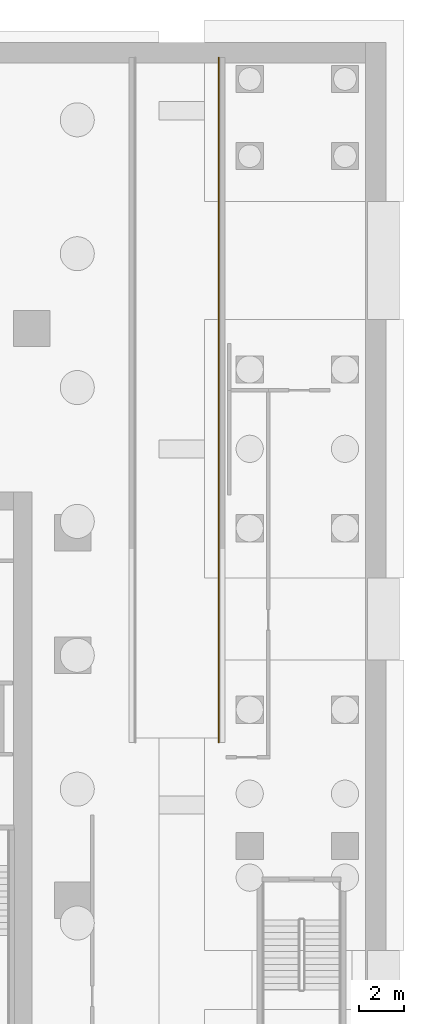
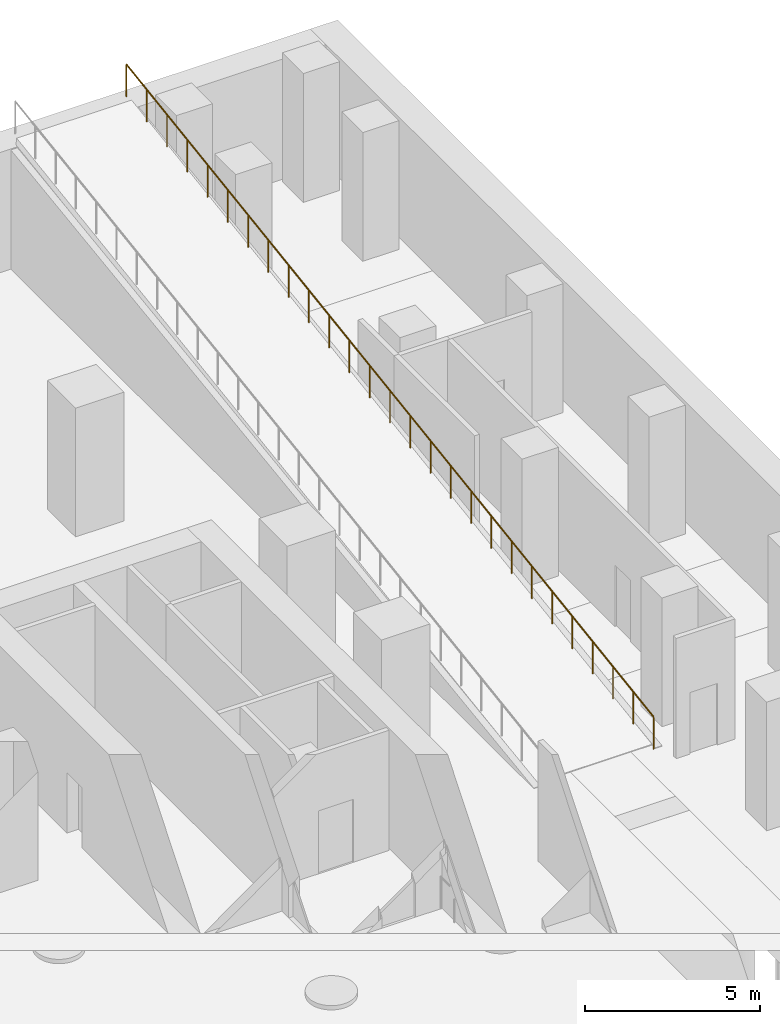
# One storey, part 14 of 15: 1 railing.
"""IFC4 building model written with IfcOpenShell, lengths in metres."""

from ifc_helpers import new_model, si_unit, direction, frame, origin, origin_2d, place, context, subcontext, project, spatial, circle, extrude, material, type_object, element, save


model = new_model("IFC4")

# Units and contexts
model_context = context("Model", 3, precision=1e-05, world=origin(), true_north=direction((0.0, 1.0)))
body_context = subcontext(model_context, "Body", "Model", "MODEL_VIEW")
ifc_project = project(units=[si_unit("LENGTHUNIT", "METRE"), si_unit("AREAUNIT", "SQUARE_METRE"), si_unit("VOLUMEUNIT", "CUBIC_METRE"), si_unit("PLANEANGLEUNIT", "RADIAN"), si_unit("MASSUNIT", "GRAM", prefix="KILO")], contexts=[model_context])

# Site, building, storey
site_placement = place(None, origin())
site = spatial("IfcSite", under=ifc_project, at=site_placement, CompositionType="ELEMENT")
building_placement = place(site_placement, origin())
building = spatial("IfcBuilding", under=site, at=building_placement, Name="Khairoan Windgate Tower", CompositionType="ELEMENT")
storey_placement = place(building_placement, frame((0.0, 0.0, -9.0)))
storey = spatial("IfcBuildingStorey", under=building, at=storey_placement, Name="B2", CompositionType="ELEMENT", Elevation=-9.0)

# Railing
ifc_material = material(Name="Steel S355", Category="steel")
railing_type = type_object("IfcRailingType", Name="Ramp Safety Guardrail RG-1150", PredefinedType="GUARDRAIL", material=ifc_material)
railing_placement = place(storey_placement, frame((28.639892578125, -3.840087890625, 0.0)))
element("IfcRailing", 1, at=railing_placement, inside=storey, type_object=railing_type, Name="Car Park Vehicular Ramp R2 (B1 to B2) E Edge Guardrail", PredefinedType="GUARDRAIL", context=body_context, shape_type="SweptSolid", body=[
    extrude(circle(Radius=0.02392578125, at=origin_2d()), frame((0.0, 0.0, 1.1259765625), z_axis=(0.0, 0.989065906388, 0.147474176791), x_axis=(-1.0, 0.0, 0.0)), (0.0, 0.0, 1.0), 30.513916015625),
    extrude(circle(Radius=0.02099609375, at=origin_2d()), origin(), (0.0, 0.0, 1.0), 1.101806640625),
    extrude(circle(Radius=0.02099609375, at=origin_2d()), frame((0.0, 1.160888671875, 0.173095703125)), (0.0, 0.0, 1.0), 1.101806640625),
    extrude(circle(Radius=0.02099609375, at=origin_2d()), frame((0.0, 2.321533203125, 0.34619140625)), (0.0, 0.0, 1.0), 1.101806640625),
    extrude(circle(Radius=0.02099609375, at=origin_2d()), frame((0.0, 3.482421875, 0.519287109375)), (0.0, 0.0, 1.0), 1.101806640625),
    extrude(circle(Radius=0.02099609375, at=origin_2d()), frame((0.0, 4.64306640625, 0.6923828125)), (0.0, 0.0, 1.0), 1.101806640625),
    extrude(circle(Radius=0.02099609375, at=origin_2d()), frame((0.0, 5.803955078125, 0.865478515625)), (0.0, 0.0, 1.0), 1.101806640625),
    extrude(circle(Radius=0.02099609375, at=origin_2d()), frame((0.0, 6.964599609375, 1.03857421875)), (0.0, 0.0, 1.0), 1.101806640625),
    extrude(circle(Radius=0.02099609375, at=origin_2d()), frame((0.0, 8.12548828125, 1.21142578125)), (0.0, 0.0, 1.0), 1.101806640625),
    extrude(circle(Radius=0.02099609375, at=origin_2d()), frame((0.0, 9.2861328125, 1.384521484375)), (0.0, 0.0, 1.0), 1.101806640625),
    extrude(circle(Radius=0.02099609375, at=origin_2d()), frame((0.0, 10.447021484375, 1.5576171875)), (0.0, 0.0, 1.0), 1.101806640625),
    extrude(circle(Radius=0.02099609375, at=origin_2d()), frame((0.0, 11.607666015625, 1.730712890625)), (0.0, 0.0, 1.0), 1.101806640625),
    extrude(circle(Radius=0.02099609375, at=origin_2d()), frame((0.0, 12.7685546875, 1.90380859375)), (0.0, 0.0, 1.0), 1.101806640625),
    extrude(circle(Radius=0.02099609375, at=origin_2d()), frame((0.0, 13.92919921875, 2.076904296875)), (0.0, 0.0, 1.0), 1.101806640625),
    extrude(circle(Radius=0.02099609375, at=origin_2d()), frame((0.0, 15.090087890625, 2.25)), (0.0, 0.0, 1.0), 1.101806640625),
    extrude(circle(Radius=0.02099609375, at=origin_2d()), frame((0.0, 16.2509765625, 2.423095703125)), (0.0, 0.0, 1.0), 1.101806640625),
    extrude(circle(Radius=0.02099609375, at=origin_2d()), frame((0.0, 17.41162109375, 2.59619140625)), (0.0, 0.0, 1.0), 1.101806640625),
    extrude(circle(Radius=0.02099609375, at=origin_2d()), frame((0.0, 18.572509765625, 2.769287109375)), (0.0, 0.0, 1.0), 1.101806640625),
    extrude(circle(Radius=0.02099609375, at=origin_2d()), frame((0.0, 19.733154296875, 2.9423828125)), (0.0, 0.0, 1.0), 1.101806640625),
    extrude(circle(Radius=0.02099609375, at=origin_2d()), frame((0.0, 20.89404296875, 3.115478515625)), (0.0, 0.0, 1.0), 1.101806640625),
    extrude(circle(Radius=0.02099609375, at=origin_2d()), frame((0.0, 22.0546875, 3.28857421875)), (0.0, 0.0, 1.0), 1.101806640625),
    extrude(circle(Radius=0.02099609375, at=origin_2d()), frame((0.0, 23.215576171875, 3.46142578125)), (0.0, 0.0, 1.0), 1.101806640625),
    extrude(circle(Radius=0.02099609375, at=origin_2d()), frame((0.0, 24.376220703125, 3.634521484375)), (0.0, 0.0, 1.0), 1.101806640625),
    extrude(circle(Radius=0.02099609375, at=origin_2d()), frame((0.0, 25.537109375, 3.8076171875)), (0.0, 0.0, 1.0), 1.101806640625),
    extrude(circle(Radius=0.02099609375, at=origin_2d()), frame((0.0, 26.69775390625, 3.980712890625)), (0.0, 0.0, 1.0), 1.101806640625),
    extrude(circle(Radius=0.02099609375, at=origin_2d()), frame((0.0, 27.858642578125, 4.15380859375)), (0.0, 0.0, 1.0), 1.101806640625),
    extrude(circle(Radius=0.02099609375, at=origin_2d()), frame((0.0, 29.019287109375, 4.326904296875)), (0.0, 0.0, 1.0), 1.101806640625),
    extrude(circle(Radius=0.02099609375, at=origin_2d()), frame((0.0, 30.18017578125, 4.5)), (0.0, 0.0, 1.0), 1.101806640625),
])

save(model, "model.ifc")
